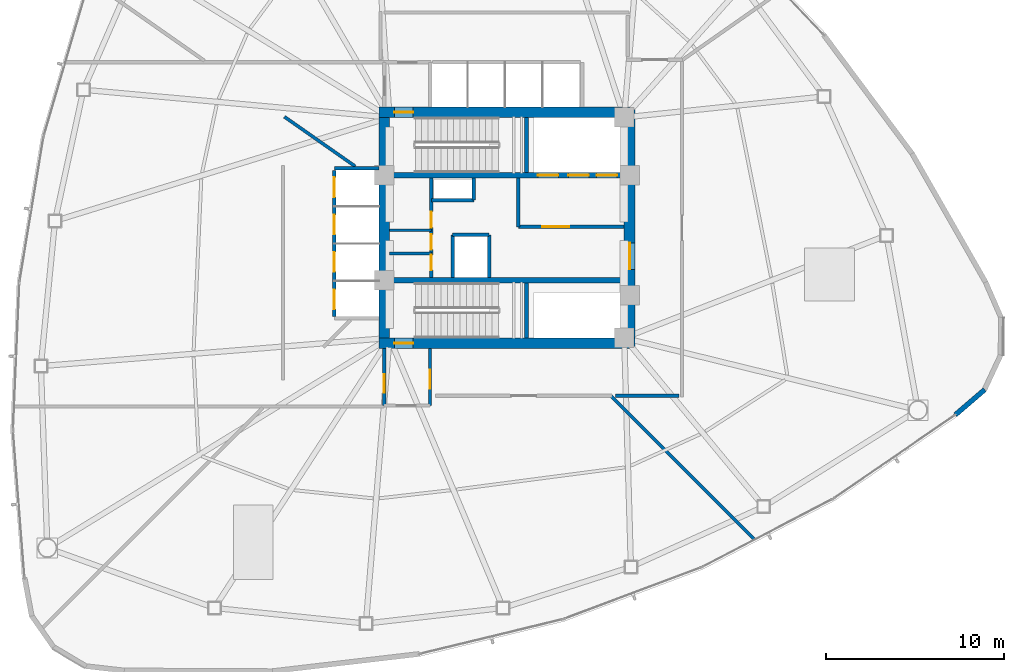
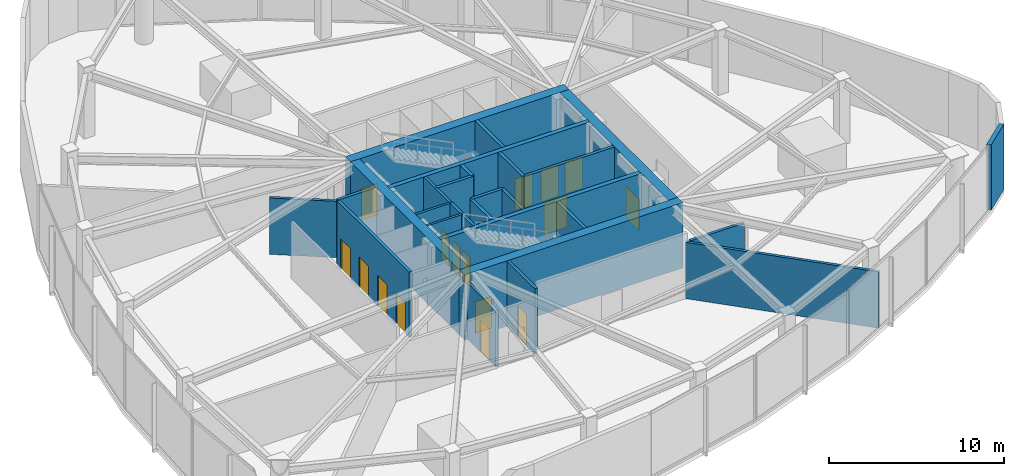
# One storey, part 11 of 16: 26 walls, 16 doors, 16 openings.
"""IFC4 building model written with IfcOpenShell, lengths in metres."""

import ifcopenshell
import ifcopenshell.guid

model = None  # the IFC model being written
_history = None  # IfcOwnerHistory: only IFC2X3 demands one
_inside = {}  # id of a spatial element -> (the spatial element, [elements in it])
_under = {}  # id of a project, library or spatial element -> (it, [spatial elements below it])
_declared = {}  # id of a project -> (the project, [libraries it declares])
_typed = {}  # id of a type object -> (the type object, [elements of that type])
_made_of = {}  # id of a material, layer set ... -> (it, [elements and type objects made of it])


def new_model(schema):
    """Start an empty IFC model of exactly this schema.

    Asked for "IFC4X3", IfcOpenShell would pick the latest addendum, in which some entities
    have other attributes; the version numbers below select the first issue.
    IFC2X3 requires an IfcOwnerHistory on every rooted entity: one is made here for all.
    """
    global model, _history
    if schema == "IFC4X3":
        model = ifcopenshell.file(schema_version=(4, 3, 0, 0))
    else:
        model = ifcopenshell.file(schema=schema)
    _inside.clear()
    _under.clear()
    _declared.clear()
    _typed.clear()
    _made_of.clear()
    _history = None
    if model.schema == "IFC2X3":
        org = make("IfcOrganization", Name="unknown")
        user = make(
            "IfcPersonAndOrganization",
            ThePerson=make("IfcPerson", FamilyName="unknown"),
            TheOrganization=org,
        )
        app = make(
            "IfcApplication",
            ApplicationDeveloper=org,
            Version="unknown",
            ApplicationFullName="unknown",
            ApplicationIdentifier="unknown",
        )
        _history = make(
            "IfcOwnerHistory",
            OwningUser=user,
            OwningApplication=app,
            ChangeAction="ADDED",
            CreationDate=0,
        )
    return model


def make(cls, **values):
    """One entity of the class cls with the attributes given. An attribute that is None is left unset."""
    return model.create_entity(
        cls, **{name: value for name, value in values.items() if value is not None}
    )


def rooted(cls, **values):
    """An entity with a GlobalId (a new one), such as an element, a storey or a relation."""
    return make(cls, GlobalId=ifcopenshell.guid.new(), OwnerHistory=_history, **values)


def si_unit(unit_type, name, prefix=None):
    """IfcSIUnit, for example si_unit("LENGTHUNIT", "METRE", prefix="MILLI")."""
    return make("IfcSIUnit", UnitType=unit_type, Prefix=prefix, Name=name)


def assignment(units):
    """IfcUnitAssignment: the units of a project."""
    return None if units is None else make("IfcUnitAssignment", Units=units)


def point(xyz):
    """IfcCartesianPoint."""
    return None if xyz is None else make("IfcCartesianPoint", Coordinates=xyz)


def direction(xyz):
    """IfcDirection."""
    return None if xyz is None else make("IfcDirection", DirectionRatios=xyz)


def frame(location, z_axis=None, x_axis=None):
    """IfcAxis2Placement3D, a coordinate frame: its origin and axes. An axis left out is left unset."""
    return make(
        "IfcAxis2Placement3D",
        Location=point(location),
        Axis=direction(z_axis),
        RefDirection=direction(x_axis),
    )


def frame_2d(location, x_axis=None):
    """IfcAxis2Placement2D, a coordinate frame in the plane: its origin and x axis."""
    return make(
        "IfcAxis2Placement2D", Location=point(location), RefDirection=direction(x_axis)
    )


def origin():
    """The frame at (0, 0, 0) with its axes left unset."""
    return frame((0.0, 0.0, 0.0))


def place(relative_to, where):
    """IfcLocalPlacement: puts the frame where relative to a parent placement (None: the world)."""
    return make(
        "IfcLocalPlacement", PlacementRelTo=relative_to, RelativePlacement=where
    )


def context(
    kind, dimensions, precision=None, world=None, true_north=None, identifier=None
):
    """IfcGeometricRepresentationContext, for example the 3D "Model" context."""
    return make(
        "IfcGeometricRepresentationContext",
        ContextIdentifier=identifier,
        ContextType=kind,
        CoordinateSpaceDimension=dimensions,
        Precision=precision,
        WorldCoordinateSystem=world,
        TrueNorth=true_north,
    )


def subcontext(parent, identifier, kind, view, scale=None):
    """IfcGeometricRepresentationSubContext, for example "Body" below "Model"."""
    return make(
        "IfcGeometricRepresentationSubContext",
        ContextIdentifier=identifier,
        ContextType=kind,
        ParentContext=parent,
        TargetScale=scale,
        TargetView=view,
    )


def project(units=None, contexts=None):
    """IfcProject with its units and contexts."""
    return rooted(
        "IfcProject",
        Name="project",
        RepresentationContexts=contexts,
        UnitsInContext=assignment(units),
    )


def spatial(cls, under=None, at=None, **own):
    """A site, building, storey or space (cls), placed at a placement, below another one or the project."""
    s = rooted(cls, ObjectPlacement=at, **own)
    if under is not None:
        _under.setdefault(under.id(), (under, []))[1].append(s)
    return s


def profile(cls, at=None, kind="AREA", **sizes):
    """A parametric profile (cls). Its sizes go by their IFC names, for example OverallWidth=200.0."""
    return make(cls, ProfileType=kind, Position=at, **sizes)


def rectangle(**sizes):
    """IfcRectangleProfileDef."""
    return profile("IfcRectangleProfileDef", **sizes)


def extrude(swept, where, along, depth):
    """IfcExtrudedAreaSolid: the profile swept, set in the frame where, extruded along a direction by depth."""
    return make(
        "IfcExtrudedAreaSolid",
        SweptArea=swept,
        Position=where,
        ExtrudedDirection=direction(along),
        Depth=depth,
    )


def shape(context_of_items, identifier, shape_type, items):
    """IfcShapeRepresentation: the items that make up one representation, for example the "Body"."""
    return make(
        "IfcShapeRepresentation",
        ContextOfItems=context_of_items,
        RepresentationIdentifier=identifier,
        RepresentationType=shape_type,
        Items=items,
    )


def material(Name=None, Category=None):
    """IfcMaterial."""
    return make("IfcMaterial", Name=Name, Category=Category)


def layer(
    of_material, thickness, ventilated=None, Name=None, Category=None, Priority=None
):
    """IfcMaterialLayer: one layer of a wall or slab, of a material (None: an air gap)."""
    return make(
        "IfcMaterialLayer",
        Material=of_material,
        LayerThickness=thickness,
        IsVentilated=ventilated,
        Name=Name,
        Category=Category,
        Priority=Priority,
    )


def layer_set(layers, Name=None):
    """IfcMaterialLayerSet."""
    return make("IfcMaterialLayerSet", MaterialLayers=layers, LayerSetName=Name)


def made_of(thing, what):
    """Note that an element or type object is made of a material, layer set ...; save() writes the relation."""
    if what is not None:
        _made_of.setdefault(what.id(), (what, []))[1].append(thing)
    return thing


def type_object(cls, material=None, **own):
    """A type object (cls), such as IfcWallType, which elements share."""
    return made_of(rooted(cls, **own), material)


def element(
    cls,
    number,
    at=None,
    inside=None,
    cuts=None,
    type_object=None,
    material=None,
    context=None,
    identifier="Body",
    shape_type=None,
    held_by="IfcProductDefinitionShape",
    body=None,
    shapes=None,
    **own,
):
    """One element of the class cls, such as IfcWall. Its Tag is "e" and its number.

    at: its placement. inside: the storey or other place that contains it. cuts: it is an
    opening in that element (IfcRelVoidsElement). A single representation is given by context,
    identifier, shape_type and body (its items); several are given by shapes. held_by: the class
    of the entity that holds the representations. save() writes the other relations.
    """
    e = rooted(cls, Tag="e%d" % number, ObjectPlacement=at, **own)
    if body is not None:
        shapes = [shape(context, identifier, shape_type, body)]
    if shapes is not None:
        e.Representation = make(held_by, Representations=shapes)
    if inside is not None:
        _inside.setdefault(inside.id(), (inside, []))[1].append(e)
    if cuts is not None:
        rooted(
            "IfcRelVoidsElement", RelatingBuildingElement=cuts, RelatedOpeningElement=e
        )
    if type_object is not None:
        _typed.setdefault(type_object.id(), (type_object, []))[1].append(e)
    return made_of(e, material)


def fill(opening, filler):
    """IfcRelFillsElement: the door or window that sits in an opening."""
    return rooted(
        "IfcRelFillsElement",
        RelatingOpeningElement=opening,
        RelatedBuildingElement=filler,
    )


def aggregate(whole, parts):
    """IfcRelAggregates: a whole, such as a stair, and the parts it consists of."""
    return rooted("IfcRelAggregates", RelatingObject=whole, RelatedObjects=parts)


def save(model, path):
    """Write the relations noted so far, then the file.

    IfcRelAggregates (storeys below a building ...), IfcRelContainedInSpatialStructure (elements
    in a storey), IfcRelDefinesByType, IfcRelAssociatesMaterial and IfcRelDeclares: one each for
    every whole, place, type object, material and project.
    """
    for whole, parts in _under.values():
        aggregate(whole, parts)
    for where, things in _inside.values():
        rooted(
            "IfcRelContainedInSpatialStructure",
            RelatedElements=things,
            RelatingStructure=where,
        )
    for kind, things in _typed.values():
        rooted("IfcRelDefinesByType", RelatedObjects=things, RelatingType=kind)
    for what, things in _made_of.values():
        rooted("IfcRelAssociatesMaterial", RelatedObjects=things, RelatingMaterial=what)
    for by, libraries in _declared.values():
        rooted("IfcRelDeclares", RelatingContext=by, RelatedDefinitions=libraries)
    model.write(path)


model = new_model("IFC4")

# Units and contexts
model_context = context("Model", 3, precision=1e-05, world=origin(), true_north=direction((0.0, 1.0)))
body_context = subcontext(model_context, "Body", "Model", "MODEL_VIEW")
ifc_project = project(units=[si_unit("LENGTHUNIT", "METRE"), si_unit("AREAUNIT", "SQUARE_METRE"), si_unit("VOLUMEUNIT", "CUBIC_METRE"), si_unit("PLANEANGLEUNIT", "RADIAN"), si_unit("MASSUNIT", "GRAM", prefix="KILO")], contexts=[model_context])

# Site, building, storey
site_placement = place(None, origin())
site = spatial("IfcSite", under=ifc_project, at=site_placement, CompositionType="ELEMENT")
building_placement = place(site_placement, origin())
building = spatial("IfcBuilding", under=site, at=building_placement, Name="Tavelor Broadcast Tower", CompositionType="ELEMENT")
storey_placement = place(building_placement, frame((0.0, 0.0, 97.800048828125)))
storey = spatial("IfcBuildingStorey", under=building, at=storey_placement, Name="L23", CompositionType="ELEMENT", Elevation=97.800048828125)

# Wall, opening, door
ifc_material_1 = material(Name="Concrete C60/75", Category="concrete")
ifc_layer_1 = layer(ifc_material_1, 0.60009765625)
ifc_layer_set_1 = layer_set([ifc_layer_1], Name="Concrete C60/75")
wall_type_1 = type_object("IfcWallType", Name="Core Shear Wall 600 mm", PredefinedType="SHEAR", material=ifc_layer_set_1)
wall_1_placement = place(storey_placement, frame((42.800048828125, 51.5, 0.0), z_axis=(0.0, 0.0, 1.0), x_axis=(1.0, 0.0, 0.0)))
wall_1 = element("IfcWall", 1, at=wall_1_placement, inside=storey, type_object=wall_type_1, Name="L23 Central Core Shear Wall N", PredefinedType="SHEAR", context=body_context, shape_type="SweptSolid", body=[
    extrude(rectangle(XDim=14.39990234375, YDim=0.60009765625, at=frame_2d((7.199951171875, 0.0))), origin(), (0.0, 0.0, 1.0), 4.550048828125),
])
opening_1_placement = place(wall_1_placement, frame((0.8798828125, 0.0, 0.0)))
opening_1 = element("IfcOpeningElement", 2, at=opening_1_placement, cuts=wall_1, Name="Opening DR11", PredefinedType="OPENING", context=body_context, shape_type="SweptSolid", body=[
    extrude(rectangle(XDim=1.050048828125, YDim=2.199951171875, at=frame_2d((0.52490234375, 1.10009765625))), frame((0.0, 0.31005859375, 0.0), z_axis=(0.0, -1.0, 0.0), x_axis=(1.0, 0.0, 0.0)), (0.0, 0.0, 1.0), 0.6201171875),
])
ifc_material_2 = material(Name="Steel S355", Category="steel")
door_type_1 = type_object("IfcDoorType", Name="Stair Core Fire Escape Door 1050x2200", OperationType="NOTDEFINED", PredefinedType="DOOR", material=ifc_material_2)
door_1_placement = place(opening_1_placement, origin())
door_1 = element("IfcDoor", 3, at=door_1_placement, inside=storey, type_object=door_type_1, Name="L23 Stair ST1 Protected Exit Door", OperationType="SINGLE_SWING_LEFT", OverallHeight=2.199951171875, OverallWidth=1.050048828125, PredefinedType="DOOR", context=body_context, shape_type="SweptSolid", body=[
    extrude(rectangle(XDim=1.050048828125, YDim=2.199951171875, at=frame_2d((0.52490234375, 1.10009765625))), frame((0.0, 0.02490234375, 0.0), z_axis=(0.0, -1.0, 0.0), x_axis=(1.0, 0.0, 0.0)), (0.0, 0.0, 1.0), 0.050048828125),
])
fill(opening_1, door_1)

wall_2_placement = place(storey_placement, frame((42.800048828125, 38.5, 0.0), z_axis=(0.0, 0.0, 1.0), x_axis=(1.0, 0.0, 0.0)))
wall_2 = element("IfcWall", 4, at=wall_2_placement, inside=storey, type_object=wall_type_1, Name="L23 Central Core Shear Wall S", PredefinedType="SHEAR", context=body_context, shape_type="SweptSolid", body=[
    extrude(rectangle(XDim=14.39990234375, YDim=0.60009765625, at=frame_2d((7.199951171875, 0.0))), origin(), (0.0, 0.0, 1.0), 4.550048828125),
])
opening_2_placement = place(wall_2_placement, frame((0.8798828125, 0.0, 0.0)))
opening_2 = element("IfcOpeningElement", 5, at=opening_2_placement, cuts=wall_2, Name="Opening DR11", PredefinedType="OPENING", context=body_context, shape_type="SweptSolid", body=[
    extrude(rectangle(XDim=1.050048828125, YDim=2.199951171875, at=frame_2d((0.52490234375, 1.10009765625))), frame((0.0, 0.31005859375, 0.0), z_axis=(0.0, -1.0, 0.0), x_axis=(1.0, 0.0, 0.0)), (0.0, 0.0, 1.0), 0.6201171875),
])
door_2_placement = place(opening_2_placement, origin())
door_2 = element("IfcDoor", 6, at=door_2_placement, inside=storey, type_object=door_type_1, Name="L23 Stair ST2 Protected Exit Door", OperationType="SINGLE_SWING_RIGHT", OverallHeight=2.199951171875, OverallWidth=1.050048828125, PredefinedType="DOOR", context=body_context, shape_type="SweptSolid", body=[
    extrude(rectangle(XDim=1.050048828125, YDim=2.199951171875, at=frame_2d((0.52490234375, 1.10009765625))), frame((0.0, 0.02490234375, 0.0), z_axis=(0.0, -1.0, 0.0), x_axis=(1.0, 0.0, 0.0)), (0.0, 0.0, 1.0), 0.050048828125),
])
fill(opening_2, door_2)

# Wall
wall_3_placement = place(storey_placement, frame((43.10009765625, 38.800048828125, 0.0), z_axis=(0.0, 0.0, 1.0), x_axis=(0.0, 1.0, 0.0)))
element("IfcWall", 7, at=wall_3_placement, inside=storey, type_object=wall_type_1, Name="L23 Central Core Shear Wall W", PredefinedType="SHEAR", context=body_context, shape_type="SweptSolid", body=[
    extrude(rectangle(XDim=12.39990234375, YDim=0.60009765625, at=frame_2d((6.199951171875, 0.0))), origin(), (0.0, 0.0, 1.0), 4.550048828125),
])

# Wall, opening, door
wall_4_placement = place(storey_placement, frame((56.89990234375, 38.800048828125, 0.0), z_axis=(0.0, 0.0, 1.0), x_axis=(0.0, 1.0, 0.0)))
wall_4 = element("IfcWall", 8, at=wall_4_placement, inside=storey, type_object=wall_type_1, Name="L23 Central Core Shear Wall E", PredefinedType="SHEAR", context=body_context, shape_type="SweptSolid", body=[
    extrude(rectangle(XDim=12.39990234375, YDim=0.60009765625, at=frame_2d((6.199951171875, 0.0))), origin(), (0.0, 0.0, 1.0), 4.550048828125),
])
opening_3_placement = place(wall_4_placement, frame((3.85009765625, 0.0, 0.0)))
opening_3 = element("IfcOpeningElement", 9, at=opening_3_placement, cuts=wall_4, Name="Opening DR14", PredefinedType="OPENING", context=body_context, shape_type="SweptSolid", body=[
    extrude(rectangle(XDim=1.5, YDim=2.199951171875, at=frame_2d((0.75, 1.10009765625))), frame((0.0, 0.31005859375, 0.0), z_axis=(0.0, -1.0, 0.0), x_axis=(1.0, 0.0, 0.0)), (0.0, 0.0, 1.0), 0.6201171875),
])
door_type_2 = type_object("IfcDoorType", Name="Firefighting Lobby Double Fire Door 1500x2200", OperationType="NOTDEFINED", PredefinedType="DOOR", material=ifc_material_2)
door_3_placement = place(opening_3_placement, origin())
door_3 = element("IfcDoor", 10, at=door_3_placement, inside=storey, type_object=door_type_2, Name="L23 Central Core Lobby Fire Door", OperationType="SINGLE_SWING_LEFT", OverallHeight=2.199951171875, OverallWidth=1.5, PredefinedType="DOOR", context=body_context, shape_type="SweptSolid", body=[
    extrude(rectangle(XDim=1.5, YDim=2.199951171875, at=frame_2d((0.75, 1.10009765625))), frame((0.0, 0.02490234375, 0.0), z_axis=(0.0, -1.0, 0.0), x_axis=(1.0, 0.0, 0.0)), (0.0, 0.0, 1.0), 0.050048828125),
])
fill(opening_3, door_3)

# Wall, openings, doors
ifc_layer_2 = layer(ifc_material_1, 0.300048828125)
ifc_layer_set_2 = layer_set([ifc_layer_2], Name="Concrete C60/75")
wall_type_2 = type_object("IfcWallType", Name="Core Spine Shear Wall 300 mm C60", PredefinedType="SHEAR", material=ifc_layer_set_2)
wall_5_placement = place(storey_placement, frame((43.39990234375, 47.949951171875, 0.0), z_axis=(0.0, 0.0, 1.0), x_axis=(1.0, 0.0, 0.0)))
wall_5 = element("IfcWall", 11, at=wall_5_placement, inside=storey, type_object=wall_type_2, Name="L23 Central Core Shear Wall SP1", PredefinedType="SHEAR", context=body_context, shape_type="SweptSolid", body=[
    extrude(rectangle(XDim=13.2001953125, YDim=0.300048828125, at=frame_2d((6.60009765625, 0.0))), origin(), (0.0, 0.0, 1.0), 4.550048828125),
])
opening_4_placement = place(wall_5_placement, frame((8.344970703125, 0.0, 0.0)))
opening_4 = element("IfcOpeningElement", 12, at=opening_4_placement, cuts=wall_5, Name="Opening LD02", PredefinedType="OPENING", context=body_context, shape_type="SweptSolid", body=[
    extrude(rectangle(XDim=1.14990234375, YDim=2.199951171875, at=frame_2d((0.574951171875, 1.10009765625))), frame((0.0, 0.16015625, 0.0), z_axis=(0.0, -1.0, 0.0), x_axis=(1.0, 0.0, 0.0)), (0.0, 0.0, 1.0), 0.320068359375),
])
opening_5_placement = place(wall_5_placement, frame((10.06494140625, 0.0, 0.0)))
opening_5 = element("IfcOpeningElement", 13, at=opening_5_placement, cuts=wall_5, Name="Opening LD02", PredefinedType="OPENING", context=body_context, shape_type="SweptSolid", body=[
    extrude(rectangle(XDim=1.14990234375, YDim=2.199951171875, at=frame_2d((0.574951171875, 1.10009765625))), frame((0.0, 0.16015625, 0.0), z_axis=(0.0, -1.0, 0.0), x_axis=(1.0, 0.0, 0.0)), (0.0, 0.0, 1.0), 0.320068359375),
])
opening_6_placement = place(wall_5_placement, frame((11.64501953125, 0.0, 0.0)))
opening_6 = element("IfcOpeningElement", 14, at=opening_6_placement, cuts=wall_5, Name="Opening LD03", PredefinedType="OPENING", context=body_context, shape_type="SweptSolid", body=[
    extrude(rectangle(XDim=1.14990234375, YDim=2.199951171875, at=frame_2d((0.574951171875, 1.10009765625))), frame((0.0, 0.16015625, 0.0), z_axis=(0.0, -1.0, 0.0), x_axis=(1.0, 0.0, 0.0)), (0.0, 0.0, 1.0), 0.320068359375),
])
ifc_material_3 = material(Name="Reinforced Brushed Stainless Steel", Category="concrete")
door_type_3 = type_object("IfcDoorType", Name="Broadcast Goods Lift Sliding Landing Door 1250x2200", OperationType="NOTDEFINED", PredefinedType="DOOR", material=ifc_material_3)
door_4_placement = place(opening_6_placement, origin())
door_4 = element("IfcDoor", 15, at=door_4_placement, inside=storey, type_object=door_type_3, Name="L23 Lift SVL1 Sliding Landing Door", OperationType="SLIDING_TO_LEFT", OverallHeight=2.199951171875, OverallWidth=1.14990234375, PredefinedType="DOOR", context=body_context, shape_type="SweptSolid", body=[
    extrude(rectangle(XDim=1.14990234375, YDim=2.199951171875, at=frame_2d((0.574951171875, 1.10009765625))), frame((0.0, 0.02490234375, 0.0), z_axis=(0.0, -1.0, 0.0), x_axis=(1.0, 0.0, 0.0)), (0.0, 0.0, 1.0), 0.050048828125),
])
fill(opening_6, door_4)
ifc_material_4 = material(Name="Fire-Rated Stainless Steel", Category="steel")
door_type_4 = type_object("IfcDoorType", Name="Firefighting Lift Sliding Landing Door 1200x2200", OperationType="NOTDEFINED", PredefinedType="DOOR", material=ifc_material_4)
door_5_placement = place(opening_4_placement, origin())
door_5 = element("IfcDoor", 16, at=door_5_placement, inside=storey, type_object=door_type_4, Name="L23 Lift FFL1 Sliding Landing Door", OperationType="SLIDING_TO_LEFT", OverallHeight=2.199951171875, OverallWidth=1.14990234375, PredefinedType="DOOR", context=body_context, shape_type="SweptSolid", body=[
    extrude(rectangle(XDim=1.14990234375, YDim=2.199951171875, at=frame_2d((0.574951171875, 1.10009765625))), frame((0.0, 0.02490234375, 0.0), z_axis=(0.0, -1.0, 0.0), x_axis=(1.0, 0.0, 0.0)), (0.0, 0.0, 1.0), 0.050048828125),
])
fill(opening_4, door_5)
door_6_placement = place(opening_5_placement, origin())
door_6 = element("IfcDoor", 17, at=door_6_placement, inside=storey, type_object=door_type_4, Name="L23 Lift FFL2 Sliding Landing Door", OperationType="SLIDING_TO_LEFT", OverallHeight=2.199951171875, OverallWidth=1.14990234375, PredefinedType="DOOR", context=body_context, shape_type="SweptSolid", body=[
    extrude(rectangle(XDim=1.14990234375, YDim=2.199951171875, at=frame_2d((0.574951171875, 1.10009765625))), frame((0.0, 0.02490234375, 0.0), z_axis=(0.0, -1.0, 0.0), x_axis=(1.0, 0.0, 0.0)), (0.0, 0.0, 1.0), 0.050048828125),
])
fill(opening_5, door_6)

# Wall
wall_6_placement = place(storey_placement, frame((43.39990234375, 42.050048828125, 0.0), z_axis=(0.0, 0.0, 1.0), x_axis=(1.0, 0.0, 0.0)))
element("IfcWall", 18, at=wall_6_placement, inside=storey, type_object=wall_type_2, Name="L23 Central Core Shear Wall SP2", PredefinedType="SHEAR", context=body_context, shape_type="SweptSolid", body=[
    extrude(rectangle(XDim=13.2001953125, YDim=0.300048828125, at=frame_2d((6.60009765625, 0.0))), origin(), (0.0, 0.0, 1.0), 4.550048828125),
])

# Wall, openings, doors
ifc_material_5 = material(Name="Calcium Silicate Fire Board 180 mm", Category="gypsum")
ifc_layer_3 = layer(ifc_material_5, 0.179931640625)
ifc_layer_set_3 = layer_set([ifc_layer_3], Name="Calcium Silicate Fire Board 180 mm")
wall_type_3 = type_object("IfcWallType", Name="Fire-Rated Corridor Partition Wall 180 mm", PredefinedType="PARTITIONING", material=ifc_layer_set_3)
wall_7_placement = place(storey_placement, frame((45.75, 42.199951171875, 0.0), z_axis=(0.0, 0.0, 1.0), x_axis=(0.0, 1.0, 0.0)))
wall_7 = element("IfcWall", 19, at=wall_7_placement, inside=storey, type_object=wall_type_3, Name="L23 Core West Service East Wall", PredefinedType="PARTITIONING", context=body_context, shape_type="SweptSolid", body=[
    extrude(rectangle(XDim=5.60009765625, YDim=0.179931640625, at=frame_2d((2.800048828125, 0.0))), origin(), (0.0, 0.0, 1.0), 4.550048828125),
])
opening_7_placement = place(wall_7_placement, frame((0.419921875, 0.0, 0.0)))
opening_7 = element("IfcOpeningElement", 20, at=opening_7_placement, cuts=wall_7, Name="Opening DR36", PredefinedType="OPENING", context=body_context, shape_type="SweptSolid", body=[
    extrude(rectangle(XDim=0.85009765625, YDim=2.050048828125, at=frame_2d((0.425048828125, 1.02490234375))), frame((0.0, 0.10009765625, 0.0), z_axis=(0.0, -1.0, 0.0), x_axis=(1.0, 0.0, 0.0)), (0.0, 0.0, 1.0), 0.199951171875),
])
opening_8_placement = place(wall_7_placement, frame((1.570068359375, 0.0, 0.0)))
opening_8 = element("IfcOpeningElement", 21, at=opening_8_placement, cuts=wall_7, Name="Opening DR36", PredefinedType="OPENING", context=body_context, shape_type="SweptSolid", body=[
    extrude(rectangle(XDim=0.85009765625, YDim=2.050048828125, at=frame_2d((0.425048828125, 1.02490234375))), frame((0.0, 0.10009765625, 0.0), z_axis=(0.0, -1.0, 0.0), x_axis=(1.0, 0.0, 0.0)), (0.0, 0.0, 1.0), 0.199951171875),
])
opening_9_placement = place(wall_7_placement, frame((2.800048828125, 0.0, 0.0)))
opening_9 = element("IfcOpeningElement", 22, at=opening_9_placement, cuts=wall_7, Name="Opening DR32", PredefinedType="OPENING", context=body_context, shape_type="SweptSolid", body=[
    extrude(rectangle(XDim=0.89990234375, YDim=2.050048828125, at=frame_2d((0.449951171875, 1.02490234375))), frame((0.0, 0.10009765625, 0.0), z_axis=(0.0, -1.0, 0.0), x_axis=(1.0, 0.0, 0.0)), (0.0, 0.0, 1.0), 0.199951171875),
])
ifc_material_6 = material(Name="Timber Solid Core Hardwood", Category="wood")
door_type_5 = type_object("IfcDoorType", Name="Accessible Washroom Door 900x2050", OperationType="NOTDEFINED", PredefinedType="DOOR", material=ifc_material_6)
door_7_placement = place(opening_9_placement, origin())
door_7 = element("IfcDoor", 23, at=door_7_placement, inside=storey, type_object=door_type_5, Name="L23 Core Accessible WC Door", OperationType="SINGLE_SWING_LEFT", OverallHeight=2.050048828125, OverallWidth=0.89990234375, PredefinedType="DOOR", context=body_context, shape_type="SweptSolid", body=[
    extrude(rectangle(XDim=0.89990234375, YDim=2.050048828125, at=frame_2d((0.449951171875, 1.02490234375))), frame((0.0, 0.02490234375, 0.0), z_axis=(0.0, -1.0, 0.0), x_axis=(1.0, 0.0, 0.0)), (0.0, 0.0, 1.0), 0.050048828125),
])
fill(opening_9, door_7)
door_type_6 = type_object("IfcDoorType", Name="Service Room Fire Door 850x2050", OperationType="NOTDEFINED", PredefinedType="DOOR", material=ifc_material_2)
door_8_placement = place(opening_7_placement, origin())
door_8 = element("IfcDoor", 24, at=door_8_placement, inside=storey, type_object=door_type_6, Name="L23 Core Medical Room Door", OperationType="SINGLE_SWING_LEFT", OverallHeight=2.050048828125, OverallWidth=0.85009765625, PredefinedType="DOOR", context=body_context, shape_type="SweptSolid", body=[
    extrude(rectangle(XDim=0.85009765625, YDim=2.050048828125, at=frame_2d((0.425048828125, 1.02490234375))), frame((0.0, 0.02490234375, 0.0), z_axis=(0.0, -1.0, 0.0), x_axis=(1.0, 0.0, 0.0)), (0.0, 0.0, 1.0), 0.050048828125),
])
fill(opening_7, door_8)
door_9_placement = place(opening_8_placement, origin())
door_9 = element("IfcDoor", 25, at=door_9_placement, inside=storey, type_object=door_type_6, Name="L23 Core Copy Room Door", OperationType="SINGLE_SWING_RIGHT", OverallHeight=2.050048828125, OverallWidth=0.85009765625, PredefinedType="DOOR", context=body_context, shape_type="SweptSolid", body=[
    extrude(rectangle(XDim=0.85009765625, YDim=2.050048828125, at=frame_2d((0.425048828125, 1.02490234375))), frame((0.0, 0.02490234375, 0.0), z_axis=(0.0, -1.0, 0.0), x_axis=(1.0, 0.0, 0.0)), (0.0, 0.0, 1.0), 0.050048828125),
])
fill(opening_8, door_9)

# Wall, opening, door
wall_8_placement = place(storey_placement, frame((45.679931640625, 35.0, 0.0), z_axis=(0.0, 0.0, 1.0), x_axis=(0.0, 1.0, 0.0)))
wall_8 = element("IfcWall", 26, at=wall_8_placement, inside=storey, type_object=wall_type_3, Name="L23 Stair ST2 Lobby East Wall", PredefinedType="PARTITIONING", context=body_context, shape_type="SweptSolid", body=[
    extrude(rectangle(XDim=3.199951171875, YDim=0.179931640625, at=frame_2d((1.60009765625, 0.0))), origin(), (0.0, 0.0, 1.0), 4.550048828125),
])
opening_10_placement = place(wall_8_placement, frame((0.949951171875, 0.0, 0.0)))
opening_10 = element("IfcOpeningElement", 27, at=opening_10_placement, cuts=wall_8, Name="Opening DR11", PredefinedType="OPENING", context=body_context, shape_type="SweptSolid", body=[
    extrude(rectangle(XDim=1.050048828125, YDim=2.199951171875, at=frame_2d((0.52490234375, 1.10009765625))), frame((0.0, 0.10009765625, 0.0), z_axis=(0.0, -1.0, 0.0), x_axis=(1.0, 0.0, 0.0)), (0.0, 0.0, 1.0), 0.199951171875),
])
door_10_placement = place(opening_10_placement, origin())
door_10 = element("IfcDoor", 28, at=door_10_placement, inside=storey, type_object=door_type_1, Name="L23 Stair ST2 Lobby East Corridor Door", OperationType="SINGLE_SWING_LEFT", OverallHeight=2.199951171875, OverallWidth=1.050048828125, PredefinedType="DOOR", context=body_context, shape_type="SweptSolid", body=[
    extrude(rectangle(XDim=1.050048828125, YDim=2.199951171875, at=frame_2d((0.52490234375, 1.10009765625))), frame((0.0, 0.02490234375, 0.0), z_axis=(0.0, -1.0, 0.0), x_axis=(1.0, 0.0, 0.0)), (0.0, 0.0, 1.0), 0.050048828125),
])
fill(opening_10, door_10)

wall_9_placement = place(storey_placement, frame((43.10009765625, 35.0, 0.0), z_axis=(0.0, 0.0, 1.0), x_axis=(0.0, 1.0, 0.0)))
wall_9 = element("IfcWall", 29, at=wall_9_placement, inside=storey, type_object=wall_type_3, Name="L23 Fire Refuge South Stair ST2 Lobby Wall", PredefinedType="PARTITIONING", context=body_context, shape_type="SweptSolid", body=[
    extrude(rectangle(XDim=3.199951171875, YDim=0.179931640625, at=frame_2d((1.60009765625, 0.0))), origin(), (0.0, 0.0, 1.0), 3.925048828125),
])
opening_11_placement = place(wall_9_placement, frame((0.719970703125, 0.0, 0.0)))
opening_11 = element("IfcOpeningElement", 30, at=opening_11_placement, cuts=wall_9, Name="Opening DR11", PredefinedType="OPENING", context=body_context, shape_type="SweptSolid", body=[
    extrude(rectangle(XDim=1.050048828125, YDim=2.199951171875, at=frame_2d((0.52490234375, 1.10009765625))), frame((0.0, 0.10009765625, 0.0), z_axis=(0.0, -1.0, 0.0), x_axis=(1.0, 0.0, 0.0)), (0.0, 0.0, 1.0), 0.199951171875),
])
door_11_placement = place(opening_11_placement, origin())
door_11 = element("IfcDoor", 31, at=door_11_placement, inside=storey, type_object=door_type_1, Name="L23 Fire Refuge Stair ST2 Lobby Door", OperationType="SINGLE_SWING_LEFT", OverallHeight=2.199951171875, OverallWidth=1.050048828125, PredefinedType="DOOR", context=body_context, shape_type="SweptSolid", body=[
    extrude(rectangle(XDim=1.050048828125, YDim=2.199951171875, at=frame_2d((0.52490234375, 1.10009765625))), frame((0.0, 0.02490234375, 0.0), z_axis=(0.0, -1.0, 0.0), x_axis=(1.0, 0.0, 0.0)), (0.0, 0.0, 1.0), 0.050048828125),
])
fill(opening_11, door_11)

# Walls
wall_10_placement = place(storey_placement, frame((41.472900390625, 48.449951171875, 0.0), z_axis=(0.0, 0.0, 1.0), x_axis=(-0.819156427122, 0.573570176966, 0.0)))
element("IfcWall", 32, at=wall_10_placement, inside=storey, type_object=wall_type_3, Name="L23 Plant Quadrant Fire Wall", PredefinedType="PARTITIONING", context=body_context, shape_type="SweptSolid", body=[
    extrude(rectangle(XDim=4.8623046875, YDim=0.179931640625, at=frame_2d((2.43115234375, 0.0))), origin(), (0.0, 0.0, 1.0), 3.925048828125),
])
wall_11_placement = place(storey_placement, frame((55.85009765625, 35.550048828125, 0.0), z_axis=(0.0, 0.0, 1.0), x_axis=(0.707096109246, -0.707117452966, 0.0)))
element("IfcWall", 33, at=wall_11_placement, inside=storey, type_object=wall_type_3, Name="L23 Plant Quadrant Fire Wall", PredefinedType="PARTITIONING", context=body_context, shape_type="SweptSolid", body=[
    extrude(rectangle(XDim=11.4384765625, YDim=0.179931640625, at=frame_2d((5.71923828125, 0.0))), origin(), (0.0, 0.0, 1.0), 3.925048828125),
])
wall_12_placement = place(storey_placement, frame((59.669921875, 35.550048828125, 0.0), z_axis=(0.0, 0.0, 1.0), x_axis=(-1.0, 0.0, 0.0)))
element("IfcWall", 34, at=wall_12_placement, inside=storey, type_object=wall_type_3, Name="L23 Plant Corridor Fire Wall", PredefinedType="PARTITIONING", context=body_context, shape_type="SweptSolid", body=[
    extrude(rectangle(XDim=3.5546875, YDim=0.179931640625, at=frame_2d((1.77734375, 0.0))), origin(), (0.0, 0.0, 1.0), 3.925048828125),
])
ifc_material_7 = material(Name="Precast Concrete C40/50", Category="concrete")
ifc_layer_4 = layer(ifc_material_7, 0.280029296875)
ifc_layer_set_4 = layer_set([ifc_layer_4], Name="Precast Concrete C40/50")
wall_type_4 = type_object("IfcWallType", Name="Insulated Precast Terracotta Facade Wall 280 mm", PredefinedType="STANDARD", material=ifc_layer_set_4)
wall_13_placement = place(storey_placement, frame((75.222412109375, 34.47802734375, 0.0), z_axis=(0.0, 0.0, 1.0), x_axis=(0.758637998703, 0.651512384321, 0.0)))
element("IfcWall", 35, at=wall_13_placement, inside=storey, type_object=wall_type_4, Name="L23 Rounded Corner Structural Cladding Pier 21", PredefinedType="STANDARD", context=body_context, shape_type="SweptSolid", body=[
    extrude(rectangle(XDim=2.174072265625, YDim=0.280029296875, at=frame_2d((1.0869140625, 0.0))), origin(), (0.0, 0.0, 1.0), 4.550048828125),
])
ifc_material_8 = material(Name="Gypsum Acoustic Plasterboard 150 mm", Category="gypsum")
ifc_layer_5 = layer(ifc_material_8, 0.14990234375)
ifc_layer_set_5 = layer_set([ifc_layer_5], Name="Gypsum Acoustic Plasterboard 150 mm")
wall_type_5 = type_object("IfcWallType", Name="Interior Acoustic Partition Wall 150 mm", PredefinedType="PARTITIONING", material=ifc_layer_set_5)
for number, where, z_axis, x_axis, name in (
    (36, (43.39990234375, 43.550048828125, 0.0), (0.0, 0.0, 1.0), (1.0, 0.0, 0.0), "L23 Core Split Wall B1"),
    (37, (43.39990234375, 44.85009765625, 0.0), (0.0, 0.0, 1.0), (1.0, 0.0, 0.0), "L23 Core Split Wall B2"),
):
    element("IfcWall", number, at=place(storey_placement, frame(where, z_axis=z_axis, x_axis=x_axis)), inside=storey, type_object=wall_type_5, Name=name, PredefinedType="PARTITIONING", context=body_context, shape_type="SweptSolid", body=[
        extrude(rectangle(XDim=2.35009765625, YDim=0.14990234375, at=frame_2d((1.175048828125, 0.0))), origin(), (0.0, 0.0, 1.0), 4.550048828125),
    ])

# Wall, openings, doors
ifc_material_9 = material(Name="Concrete Blockwork 200 mm", Category="masonry")
ifc_layer_6 = layer(ifc_material_9, 0.199951171875)
ifc_layer_set_6 = layer_set([ifc_layer_6], Name="Concrete Blockwork 200 mm")
wall_type_6 = type_object("IfcWallType", Name="Lift Hoistway Rated Front Wall 200 mm", PredefinedType="PARTITIONING", material=ifc_layer_set_6)
wall_14_placement = place(storey_placement, frame((40.300048828125, 40.02001953125, 0.0), z_axis=(0.0, 0.0, 1.0), x_axis=(0.0, 1.0, 0.0)))
wall_14 = element("IfcWall", 38, at=wall_14_placement, inside=storey, type_object=wall_type_6, Name="L23 Low-Rise Lift Hoistway Front Wall", PredefinedType="PARTITIONING", context=body_context, shape_type="SweptSolid", body=[
    extrude(rectangle(XDim=8.2099609375, YDim=0.199951171875, at=frame_2d((4.10498046875, 0.0))), origin(), (0.0, 0.0, 1.0), 4.550048828125),
])
opening_12_placement = place(wall_14_placement, frame((0.405029296875, 0.0, 0.0)))
opening_12 = element("IfcOpeningElement", 39, at=opening_12_placement, cuts=wall_14, Name="Opening LD01", PredefinedType="OPENING", context=body_context, shape_type="SweptSolid", body=[
    extrude(rectangle(XDim=1.10009765625, YDim=2.14990234375, at=frame_2d((0.550048828125, 1.074951171875))), frame((0.0, 0.10986328125, 0.0), z_axis=(0.0, -1.0, 0.0), x_axis=(1.0, 0.0, 0.0)), (0.0, 0.0, 1.0), 0.219970703125),
])
opening_13_placement = place(wall_14_placement, frame((2.5048828125, 0.0, 0.0)))
opening_13 = element("IfcOpeningElement", 40, at=opening_13_placement, cuts=wall_14, Name="Opening LD01", PredefinedType="OPENING", context=body_context, shape_type="SweptSolid", body=[
    extrude(rectangle(XDim=1.10009765625, YDim=2.14990234375, at=frame_2d((0.550048828125, 1.074951171875))), frame((0.0, 0.10986328125, 0.0), z_axis=(0.0, -1.0, 0.0), x_axis=(1.0, 0.0, 0.0)), (0.0, 0.0, 1.0), 0.219970703125),
])
opening_14_placement = place(wall_14_placement, frame((4.60498046875, 0.0, 0.0)))
opening_14 = element("IfcOpeningElement", 41, at=opening_14_placement, cuts=wall_14, Name="Opening LD01", PredefinedType="OPENING", context=body_context, shape_type="SweptSolid", body=[
    extrude(rectangle(XDim=1.10009765625, YDim=2.14990234375, at=frame_2d((0.550048828125, 1.074951171875))), frame((0.0, 0.10986328125, 0.0), z_axis=(0.0, -1.0, 0.0), x_axis=(1.0, 0.0, 0.0)), (0.0, 0.0, 1.0), 0.219970703125),
])
opening_15_placement = place(wall_14_placement, frame((6.705078125, 0.0, 0.0)))
opening_15 = element("IfcOpeningElement", 42, at=opening_15_placement, cuts=wall_14, Name="Opening LD01", PredefinedType="OPENING", context=body_context, shape_type="SweptSolid", body=[
    extrude(rectangle(XDim=1.10009765625, YDim=2.14990234375, at=frame_2d((0.550048828125, 1.074951171875))), frame((0.0, 0.10986328125, 0.0), z_axis=(0.0, -1.0, 0.0), x_axis=(1.0, 0.0, 0.0)), (0.0, 0.0, 1.0), 0.219970703125),
])
ifc_material_10 = material(Name="Brushed Stainless Steel", Category="steel")
door_type_7 = type_object("IfcDoorType", Name="Passenger Lift Sliding Landing Door 1100x2150", OperationType="NOTDEFINED", PredefinedType="DOOR", material=ifc_material_10)
door_12_placement = place(opening_12_placement, origin())
door_12 = element("IfcDoor", 43, at=door_12_placement, inside=storey, type_object=door_type_7, Name="L23 Lift PLL1 Sliding Landing Door", OperationType="SLIDING_TO_LEFT", OverallHeight=2.14990234375, OverallWidth=1.10009765625, PredefinedType="DOOR", context=body_context, shape_type="SweptSolid", body=[
    extrude(rectangle(XDim=1.10009765625, YDim=2.14990234375, at=frame_2d((0.550048828125, 1.074951171875))), frame((0.0, 0.02490234375, 0.0), z_axis=(0.0, -1.0, 0.0), x_axis=(1.0, 0.0, 0.0)), (0.0, 0.0, 1.0), 0.050048828125),
])
fill(opening_12, door_12)
door_13_placement = place(opening_13_placement, origin())
door_13 = element("IfcDoor", 44, at=door_13_placement, inside=storey, type_object=door_type_7, Name="L23 Lift PLL2 Sliding Landing Door", OperationType="SLIDING_TO_RIGHT", OverallHeight=2.14990234375, OverallWidth=1.10009765625, PredefinedType="DOOR", context=body_context, shape_type="SweptSolid", body=[
    extrude(rectangle(XDim=1.10009765625, YDim=2.14990234375, at=frame_2d((0.550048828125, 1.074951171875))), frame((0.0, 0.02490234375, 0.0), z_axis=(0.0, -1.0, 0.0), x_axis=(1.0, 0.0, 0.0)), (0.0, 0.0, 1.0), 0.050048828125),
])
fill(opening_13, door_13)
door_14_placement = place(opening_14_placement, origin())
door_14 = element("IfcDoor", 45, at=door_14_placement, inside=storey, type_object=door_type_7, Name="L23 Lift PLL3 Sliding Landing Door", OperationType="SLIDING_TO_LEFT", OverallHeight=2.14990234375, OverallWidth=1.10009765625, PredefinedType="DOOR", context=body_context, shape_type="SweptSolid", body=[
    extrude(rectangle(XDim=1.10009765625, YDim=2.14990234375, at=frame_2d((0.550048828125, 1.074951171875))), frame((0.0, 0.02490234375, 0.0), z_axis=(0.0, -1.0, 0.0), x_axis=(1.0, 0.0, 0.0)), (0.0, 0.0, 1.0), 0.050048828125),
])
fill(opening_14, door_14)
door_15_placement = place(opening_15_placement, origin())
door_15 = element("IfcDoor", 46, at=door_15_placement, inside=storey, type_object=door_type_7, Name="L23 Lift PLL4 Sliding Landing Door", OperationType="SLIDING_TO_RIGHT", OverallHeight=2.14990234375, OverallWidth=1.10009765625, PredefinedType="DOOR", context=body_context, shape_type="SweptSolid", body=[
    extrude(rectangle(XDim=1.10009765625, YDim=2.14990234375, at=frame_2d((0.550048828125, 1.074951171875))), frame((0.0, 0.02490234375, 0.0), z_axis=(0.0, -1.0, 0.0), x_axis=(1.0, 0.0, 0.0)), (0.0, 0.0, 1.0), 0.050048828125),
])
fill(opening_15, door_15)

# Walls
wall_15_placement = place(storey_placement, frame((49.0, 42.199951171875, 0.0), z_axis=(0.0, 0.0, 1.0), x_axis=(0.0, 1.0, 0.0)))
element("IfcWall", 47, at=wall_15_placement, inside=storey, type_object=wall_type_6, Name="L23 Mid-Rise Lift PLM4 Hoistway Front Wall", PredefinedType="PARTITIONING", context=body_context, shape_type="SweptSolid", body=[
    extrude(rectangle(XDim=2.400146484375, YDim=0.199951171875, at=frame_2d((1.2001953125, 0.0))), origin(), (0.0, 0.0, 1.0), 4.550048828125),
])
ifc_layer_7 = layer(ifc_material_9, 0.199951171875)
ifc_layer_set_7 = layer_set([ifc_layer_7], Name="Concrete Blockwork 200 mm")
wall_type_7 = type_object("IfcWallType", Name="Lift and Riser Shaft Enclosure Wall 200 mm", PredefinedType="PARTITIONING", material=ifc_layer_set_7)
wall_16_placement = place(storey_placement, frame((40.300048828125, 48.35009765625, 0.0), z_axis=(0.0, 0.0, 1.0), x_axis=(1.0, 0.0, 0.0)))
element("IfcWall", 48, at=wall_16_placement, inside=storey, type_object=wall_type_7, Name="L23 Low-Rise Lift Shaft North Wall", PredefinedType="PARTITIONING", context=body_context, shape_type="SweptSolid", body=[
    extrude(rectangle(XDim=2.5, YDim=0.199951171875, at=frame_2d((1.25, 0.0))), origin(), (0.0, 0.0, 1.0), 4.550048828125),
])
wall_17_placement = place(storey_placement, frame((45.75, 46.550048828125, 0.0), z_axis=(0.0, 0.0, 1.0), x_axis=(1.0, 0.0, 0.0)))
element("IfcWall", 49, at=wall_17_placement, inside=storey, type_object=wall_type_7, Name="L23 Riser Shaft South Wall", PredefinedType="PARTITIONING", context=body_context, shape_type="SweptSolid", body=[
    extrude(rectangle(XDim=2.39990234375, YDim=0.199951171875, at=frame_2d((1.199951171875, 0.0))), origin(), (0.0, 0.0, 1.0), 4.550048828125),
])
wall_18_placement = place(storey_placement, frame((48.14990234375, 46.550048828125, 0.0), z_axis=(0.0, 0.0, 1.0), x_axis=(0.0, 1.0, 0.0)))
element("IfcWall", 50, at=wall_18_placement, inside=storey, type_object=wall_type_7, Name="L23 Riser Shaft East Wall", PredefinedType="PARTITIONING", context=body_context, shape_type="SweptSolid", body=[
    extrude(rectangle(XDim=1.25, YDim=0.199951171875, at=frame_2d((0.625, 0.0))), origin(), (0.0, 0.0, 1.0), 4.550048828125),
])
wall_19_placement = place(storey_placement, frame((46.949951171875, 42.199951171875, 0.0), z_axis=(0.0, 0.0, 1.0), x_axis=(0.0, 1.0, 0.0)))
element("IfcWall", 51, at=wall_19_placement, inside=storey, type_object=wall_type_7, Name="L23 Mid-Rise Lift PLM4 West Wall", PredefinedType="PARTITIONING", context=body_context, shape_type="SweptSolid", body=[
    extrude(rectangle(XDim=2.400146484375, YDim=0.199951171875, at=frame_2d((1.2001953125, 0.0))), origin(), (0.0, 0.0, 1.0), 4.550048828125),
])
wall_20_placement = place(storey_placement, frame((46.949951171875, 44.60009765625, 0.0), z_axis=(0.0, 0.0, 1.0), x_axis=(1.0, 0.0, 0.0)))
element("IfcWall", 52, at=wall_20_placement, inside=storey, type_object=wall_type_7, Name="L23 Mid-Rise Lift PLM4 North Wall", PredefinedType="PARTITIONING", context=body_context, shape_type="SweptSolid", body=[
    extrude(rectangle(XDim=2.050048828125, YDim=0.199951171875, at=frame_2d((1.02490234375, 0.0))), origin(), (0.0, 0.0, 1.0), 4.550048828125),
])

# Wall, opening, door
wall_21_placement = place(storey_placement, frame((50.64990234375, 45.050048828125, 0.0), z_axis=(0.0, 0.0, 1.0), x_axis=(1.0, 0.0, 0.0)))
wall_21 = element("IfcWall", 53, at=wall_21_placement, inside=storey, type_object=wall_type_7, Name="L23 Firefighting Lobby South Wall", PredefinedType="PARTITIONING", context=body_context, shape_type="SweptSolid", body=[
    extrude(rectangle(XDim=5.9501953125, YDim=0.199951171875, at=frame_2d((2.97509765625, 0.0))), origin(), (0.0, 0.0, 1.0), 4.550048828125),
])
opening_16_placement = place(wall_21_placement, frame((1.35009765625, 0.0, 0.0)))
opening_16 = element("IfcOpeningElement", 54, at=opening_16_placement, cuts=wall_21, Name="Opening DR14", PredefinedType="OPENING", context=body_context, shape_type="SweptSolid", body=[
    extrude(rectangle(XDim=1.5, YDim=2.199951171875, at=frame_2d((0.75, 1.10009765625))), frame((0.0, 0.10986328125, 0.0), z_axis=(0.0, -1.0, 0.0), x_axis=(1.0, 0.0, 0.0)), (0.0, 0.0, 1.0), 0.219970703125),
])
door_16_placement = place(opening_16_placement, origin())
door_16 = element("IfcDoor", 55, at=door_16_placement, inside=storey, type_object=door_type_2, Name="L23 Firefighting Lobby Compartment Door", OperationType="SINGLE_SWING_RIGHT", OverallHeight=2.199951171875, OverallWidth=1.5, PredefinedType="DOOR", context=body_context, shape_type="SweptSolid", body=[
    extrude(rectangle(XDim=1.5, YDim=2.199951171875, at=frame_2d((0.75, 1.10009765625))), frame((0.0, 0.02490234375, 0.0), z_axis=(0.0, -1.0, 0.0), x_axis=(1.0, 0.0, 0.0)), (0.0, 0.0, 1.0), 0.050048828125),
])
fill(opening_16, door_16)

# Walls
wall_22_placement = place(storey_placement, frame((50.64990234375, 45.050048828125, 0.0), z_axis=(0.0, 0.0, 1.0), x_axis=(0.0, 1.0, 0.0)))
element("IfcWall", 56, at=wall_22_placement, inside=storey, type_object=wall_type_7, Name="L23 Firefighting Lobby West Wall", PredefinedType="PARTITIONING", context=body_context, shape_type="SweptSolid", body=[
    extrude(rectangle(XDim=2.75, YDim=0.199951171875, at=frame_2d((1.375, 0.0))), origin(), (0.0, 0.0, 1.0), 4.550048828125),
])
ifc_material_11 = material(Name="Concrete C40/50", Category="concrete")
ifc_layer_8 = layer(ifc_material_11, 0.219970703125)
ifc_layer_set_8 = layer_set([ifc_layer_8], Name="Concrete C40/50")
wall_type_8 = type_object("IfcWallType", Name="Structural Stairwell Shear Wall 220 mm", PredefinedType="SHEAR", material=ifc_layer_set_8)
for number, where, z_axis, x_axis, name in (
    (57, (51.110107421875, 48.10009765625, 0.0), (0.0, 0.0, 1.0), (0.0, 1.0, 0.0), "L23 Stair ST1 Structural Shaft Wall"),
    (58, (51.110107421875, 38.800048828125, 0.0), (0.0, 0.0, 1.0), (0.0, 1.0, 0.0), "L23 Stair ST2 Structural Shaft Wall"),
):
    element("IfcWall", number, at=place(storey_placement, frame(where, z_axis=z_axis, x_axis=x_axis)), inside=storey, type_object=wall_type_8, Name=name, PredefinedType="SHEAR", context=body_context, shape_type="SweptSolid", body=[
        extrude(rectangle(XDim=3.099853515625, YDim=0.219970703125, at=frame_2d((1.5498046875, 0.0))), origin(), (0.0, 0.0, 1.0), 4.550048828125),
    ])

save(model, "model.ifc")
